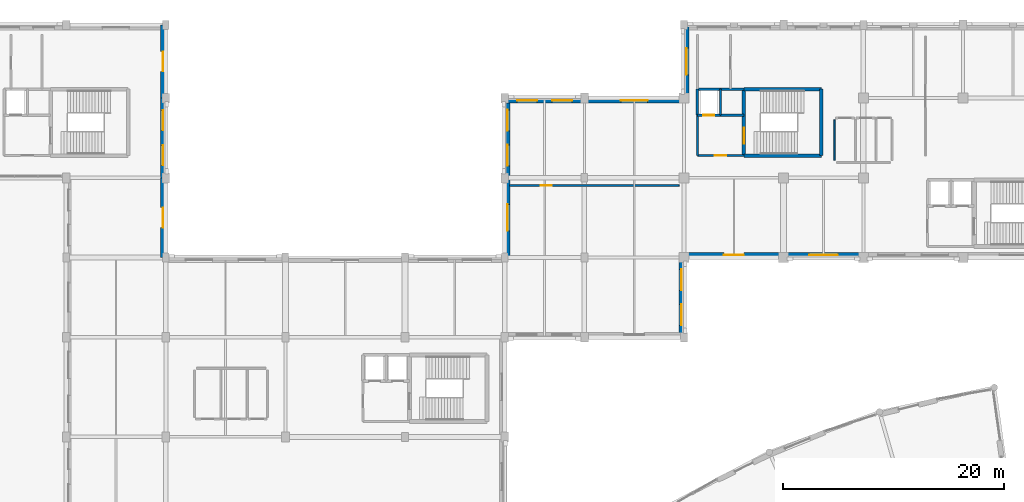
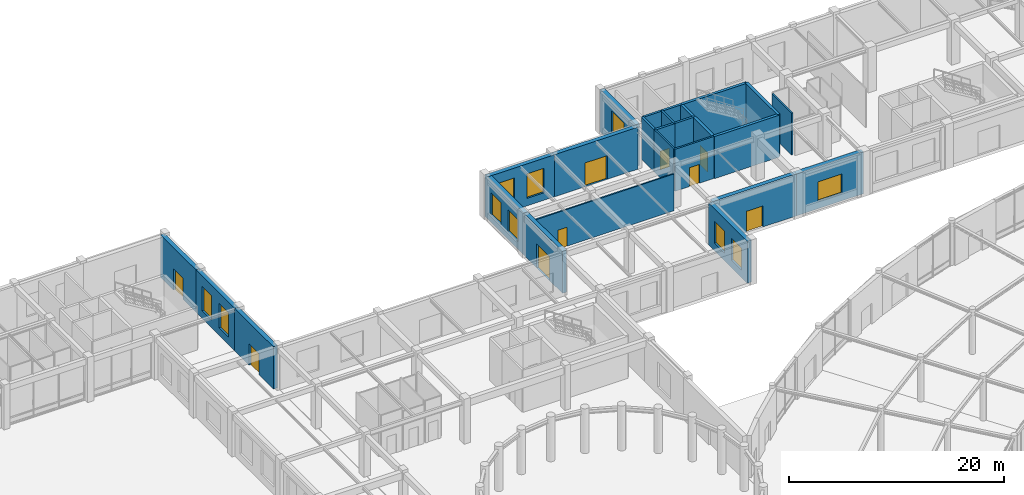
# One storey, part 52 of 64: 24 walls, 10 windows, 9 doors, 19 openings.
"""IFC4 building model written with IfcOpenShell, lengths in metres."""

from ifc_helpers import new_model, si_unit, direction, frame, frame_2d, origin, place, context, subcontext, project, spatial, rectangle, extrude, material, layer, layer_set, type_object, element, fill, save


model = new_model("IFC4")

# Units and contexts
model_context = context("Model", 3, precision=1e-05, world=origin(), true_north=direction((0.0, 1.0)))
body_context = subcontext(model_context, "Body", "Model", "MODEL_VIEW")
ifc_project = project(units=[si_unit("LENGTHUNIT", "METRE"), si_unit("AREAUNIT", "SQUARE_METRE"), si_unit("VOLUMEUNIT", "CUBIC_METRE"), si_unit("PLANEANGLEUNIT", "RADIAN"), si_unit("MASSUNIT", "GRAM", prefix="KILO")], contexts=[model_context])

# Site, building, storey
site_placement = place(None, origin())
site = spatial("IfcSite", under=ifc_project, at=site_placement, CompositionType="ELEMENT")
building_placement = place(site_placement, origin())
building = spatial("IfcBuilding", under=site, at=building_placement, Name="Clarverna Civic Hall", CompositionType="ELEMENT")
storey_placement = place(building_placement, origin())
storey = spatial("IfcBuildingStorey", under=building, at=storey_placement, Name="L00", CompositionType="ELEMENT", Elevation=0.0)

# Wall, opening, door
ifc_material_1 = material(Name="Precast concrete C40/50", Category="concrete")
ifc_layer_1 = layer(ifc_material_1, 0.449951171875)
ifc_layer_set_1 = layer_set([ifc_layer_1], Name="Precast concrete C40/50")
wall_type_1 = type_object("IfcWallType", Name="EW-01", PredefinedType="SOLIDWALL", material=ifc_layer_set_1)
wall_1_placement = place(storey_placement, frame((66.35009765625, 116.0, 0.0), z_axis=(0.0, 0.0, 1.0), x_axis=(0.0, -1.0, 0.0)))
wall_1 = element("IfcWall", 1, at=wall_1_placement, inside=storey, type_object=wall_type_1, Name="EW-01-024", PredefinedType="SOLIDWALL", context=body_context, shape_type="SweptSolid", body=[
    extrude(rectangle(XDim=6.60009765625, YDim=0.449951171875, at=frame_2d((3.300048828125, 0.0))), origin(), (0.0, 0.0, 1.0), 4.820068359375),
])
opening_1_placement = place(wall_1_placement, frame((2.39990234375, 0.0, 0.0)))
opening_1 = element("IfcOpeningElement", 2, at=opening_1_placement, cuts=wall_1, Name="Opening ED-02", PredefinedType="OPENING", context=body_context, shape_type="SweptSolid", body=[
    extrude(rectangle(XDim=1.800048828125, YDim=2.39990234375, at=frame_2d((0.89990234375, 1.199951171875))), frame((0.0, 0.23486328125, 0.0), z_axis=(0.0, -1.0, 0.0), x_axis=(1.0, 0.0, 0.0)), (0.0, 0.0, 1.0), 0.469970703125),
])
ifc_material_2 = material(Name="Anodised Bronze Glazed Door")
door_type_1 = type_object("IfcDoorType", Name="ED-02", OperationType="DOUBLE_DOOR_SINGLE_SWING", PredefinedType="DOOR", material=ifc_material_2)
door_1_placement = place(opening_1_placement, origin())
door_1 = element("IfcDoor", 3, at=door_1_placement, inside=storey, type_object=door_type_1, Name="ED-02-007", OperationType="DOUBLE_DOOR_SINGLE_SWING", OverallHeight=2.39990234375, OverallWidth=1.800048828125, PredefinedType="DOOR", context=body_context, shape_type="SweptSolid", body=[
    extrude(rectangle(XDim=1.800048828125, YDim=2.39990234375, at=frame_2d((0.89990234375, 1.199951171875))), frame((0.0, 0.02490234375, 0.0), z_axis=(0.0, -1.0, 0.0), x_axis=(1.0, 0.0, 0.0)), (0.0, 0.0, 1.0), 0.050048828125),
])
fill(opening_1, door_1)

# Wall, openings, windows
wall_2_placement = place(storey_placement, frame((66.35009765625, 109.39990234375, 0.0), z_axis=(0.0, 0.0, 1.0), x_axis=(0.0, -1.0, 0.0)))
wall_2 = element("IfcWall", 4, at=wall_2_placement, inside=storey, type_object=wall_type_1, Name="EW-01-025", PredefinedType="SOLIDWALL", context=body_context, shape_type="SweptSolid", body=[
    extrude(rectangle(XDim=7.199951171875, YDim=0.449951171875, at=frame_2d((3.60009765625, 0.0))), origin(), (0.0, 0.0, 1.0), 4.820068359375),
])
opening_2_placement = place(wall_2_placement, frame((1.115966796875, 0.0, 0.85009765625)))
opening_2 = element("IfcOpeningElement", 5, at=opening_2_placement, cuts=wall_2, Name="Opening WN-01", PredefinedType="OPENING", context=body_context, shape_type="SweptSolid", body=[
    extrude(rectangle(XDim=1.800048828125, YDim=2.800048828125, at=frame_2d((0.89990234375, 1.39990234375))), frame((0.0, 0.23486328125, 0.0), z_axis=(0.0, -1.0, 0.0), x_axis=(1.0, 0.0, 0.0)), (0.0, 0.0, 1.0), 0.469970703125),
])
opening_3_placement = place(wall_2_placement, frame((4.283935546875, 0.0, 0.85009765625)))
opening_3 = element("IfcOpeningElement", 6, at=opening_3_placement, cuts=wall_2, Name="Opening WN-01", PredefinedType="OPENING", context=body_context, shape_type="SweptSolid", body=[
    extrude(rectangle(XDim=1.800048828125, YDim=2.800048828125, at=frame_2d((0.89990234375, 1.39990234375))), frame((0.0, 0.23486328125, 0.0), z_axis=(0.0, -1.0, 0.0), x_axis=(1.0, 0.0, 0.0)), (0.0, 0.0, 1.0), 0.469970703125),
])
ifc_material_3 = material(Name="Solar-Control Argon Low-E Double Glazing", Category="glass")
window_type_1 = type_object("IfcWindowType", Name="WN-01", PartitioningType="DOUBLE_PANEL_VERTICAL", PredefinedType="WINDOW", material=ifc_material_3)
window_1_placement = place(opening_2_placement, origin())
window_1 = element("IfcWindow", 7, at=window_1_placement, inside=storey, type_object=window_type_1, Name="WN-01-007", OverallHeight=2.800048828125, OverallWidth=1.800048828125, PartitioningType="DOUBLE_PANEL_VERTICAL", PredefinedType="WINDOW", context=body_context, shape_type="SweptSolid", body=[
    extrude(rectangle(XDim=1.800048828125, YDim=2.800048828125, at=frame_2d((0.89990234375, 1.39990234375))), frame((0.0, 0.030029296875, 0.0), z_axis=(0.0, -1.0, 0.0), x_axis=(1.0, 0.0, 0.0)), (0.0, 0.0, 1.0), 0.06005859375),
])
fill(opening_2, window_1)
window_2_placement = place(opening_3_placement, origin())
window_2 = element("IfcWindow", 8, at=window_2_placement, inside=storey, type_object=window_type_1, Name="WN-01-008", OverallHeight=2.800048828125, OverallWidth=1.800048828125, PartitioningType="DOUBLE_PANEL_VERTICAL", PredefinedType="WINDOW", context=body_context, shape_type="SweptSolid", body=[
    extrude(rectangle(XDim=1.800048828125, YDim=2.800048828125, at=frame_2d((0.89990234375, 1.39990234375))), frame((0.0, 0.030029296875, 0.0), z_axis=(0.0, -1.0, 0.0), x_axis=(1.0, 0.0, 0.0)), (0.0, 0.0, 1.0), 0.06005859375),
])
fill(opening_3, window_2)

# Wall, opening, door
wall_3_placement = place(storey_placement, frame((66.35009765625, 102.199951171875, 0.0), z_axis=(0.0, 0.0, 1.0), x_axis=(0.0, -1.0, 0.0)))
wall_3 = element("IfcWall", 9, at=wall_3_placement, inside=storey, type_object=wall_type_1, Name="EW-01-026", PredefinedType="SOLIDWALL", context=body_context, shape_type="SweptSolid", body=[
    extrude(rectangle(XDim=7.199951171875, YDim=0.449951171875, at=frame_2d((3.60009765625, 0.0))), origin(), (0.0, 0.0, 1.0), 4.820068359375),
])
opening_4_placement = place(wall_3_placement, frame((2.699951171875, 0.0, 0.0)))
opening_4 = element("IfcOpeningElement", 10, at=opening_4_placement, cuts=wall_3, Name="Opening ED-02", PredefinedType="OPENING", context=body_context, shape_type="SweptSolid", body=[
    extrude(rectangle(XDim=1.800048828125, YDim=2.39990234375, at=frame_2d((0.89990234375, 1.199951171875))), frame((0.0, 0.23486328125, 0.0), z_axis=(0.0, -1.0, 0.0), x_axis=(1.0, 0.0, 0.0)), (0.0, 0.0, 1.0), 0.469970703125),
])
door_2_placement = place(opening_4_placement, origin())
door_2 = element("IfcDoor", 11, at=door_2_placement, inside=storey, type_object=door_type_1, Name="ED-02-008", OperationType="DOUBLE_DOOR_SINGLE_SWING", OverallHeight=2.39990234375, OverallWidth=1.800048828125, PredefinedType="DOOR", context=body_context, shape_type="SweptSolid", body=[
    extrude(rectangle(XDim=1.800048828125, YDim=2.39990234375, at=frame_2d((0.89990234375, 1.199951171875))), frame((0.0, 0.02490234375, 0.0), z_axis=(0.0, -1.0, 0.0), x_axis=(1.0, 0.0, 0.0)), (0.0, 0.0, 1.0), 0.050048828125),
])
fill(opening_4, door_2)

wall_4_placement = place(storey_placement, frame((97.449951171875, 95.0, 0.0), z_axis=(0.0, 0.0, 1.0), x_axis=(0.0, 1.0, 0.0)))
wall_4 = element("IfcWall", 12, at=wall_4_placement, inside=storey, type_object=wall_type_1, Name="EW-01-030", PredefinedType="SOLIDWALL", context=body_context, shape_type="SweptSolid", body=[
    extrude(rectangle(XDim=7.199951171875, YDim=0.449951171875, at=frame_2d((3.60009765625, 0.0))), origin(), (0.0, 0.0, 1.0), 4.780029296875),
])
opening_5_placement = place(wall_4_placement, frame((2.39990234375, 0.0, 0.0)))
opening_5 = element("IfcOpeningElement", 13, at=opening_5_placement, cuts=wall_4, Name="Opening ED-01", PredefinedType="OPENING", context=body_context, shape_type="SweptSolid", body=[
    extrude(rectangle(XDim=2.39990234375, YDim=2.699951171875, at=frame_2d((1.199951171875, 1.35009765625))), frame((0.0, 0.23486328125, 0.0), z_axis=(0.0, -1.0, 0.0), x_axis=(1.0, 0.0, 0.0)), (0.0, 0.0, 1.0), 0.469970703125),
])
door_type_2 = type_object("IfcDoorType", Name="ED-01", OperationType="DOUBLE_DOOR_SINGLE_SWING", PredefinedType="DOOR", material=ifc_material_2)
door_3_placement = place(opening_5_placement, origin())
door_3 = element("IfcDoor", 14, at=door_3_placement, inside=storey, type_object=door_type_2, Name="ED-01-007", OperationType="DOUBLE_DOOR_SINGLE_SWING", OverallHeight=2.699951171875, OverallWidth=2.39990234375, PredefinedType="DOOR", context=body_context, shape_type="SweptSolid", body=[
    extrude(rectangle(XDim=2.39990234375, YDim=2.699951171875, at=frame_2d((1.199951171875, 1.35009765625))), frame((0.0, 0.02490234375, 0.0), z_axis=(0.0, -1.0, 0.0), x_axis=(1.0, 0.0, 0.0)), (0.0, 0.0, 1.0), 0.050048828125),
])
fill(opening_5, door_3)

# Wall, openings, windows
wall_5_placement = place(storey_placement, frame((97.449951171875, 102.199951171875, 0.0), z_axis=(0.0, 0.0, 1.0), x_axis=(0.0, 1.0, 0.0)))
wall_5 = element("IfcWall", 15, at=wall_5_placement, inside=storey, type_object=wall_type_1, Name="EW-01-031", PredefinedType="SOLIDWALL", context=body_context, shape_type="SweptSolid", body=[
    extrude(rectangle(XDim=7.199951171875, YDim=0.449951171875, at=frame_2d((3.60009765625, 0.0))), origin(), (0.0, 0.0, 1.0), 4.780029296875),
])
opening_6_placement = place(wall_5_placement, frame((1.06591796875, 0.0, 0.85009765625)))
opening_6 = element("IfcOpeningElement", 16, at=opening_6_placement, cuts=wall_5, Name="Opening WN-30", PredefinedType="OPENING", context=body_context, shape_type="SweptSolid", body=[
    extrude(rectangle(XDim=1.89990234375, YDim=2.5, at=frame_2d((0.949951171875, 1.25))), frame((0.0, 0.23486328125, 0.0), z_axis=(0.0, -1.0, 0.0), x_axis=(1.0, 0.0, 0.0)), (0.0, 0.0, 1.0), 0.469970703125),
])
opening_7_placement = place(wall_5_placement, frame((4.23388671875, 0.0, 0.85009765625)))
opening_7 = element("IfcOpeningElement", 17, at=opening_7_placement, cuts=wall_5, Name="Opening WN-30", PredefinedType="OPENING", context=body_context, shape_type="SweptSolid", body=[
    extrude(rectangle(XDim=1.89990234375, YDim=2.5, at=frame_2d((0.949951171875, 1.25))), frame((0.0, 0.23486328125, 0.0), z_axis=(0.0, -1.0, 0.0), x_axis=(1.0, 0.0, 0.0)), (0.0, 0.0, 1.0), 0.469970703125),
])
window_type_2 = type_object("IfcWindowType", Name="WN-30", PartitioningType="DOUBLE_PANEL_VERTICAL", PredefinedType="WINDOW", material=ifc_material_3)
window_3_placement = place(opening_6_placement, origin())
window_3 = element("IfcWindow", 18, at=window_3_placement, inside=storey, type_object=window_type_2, Name="WN-30-006", OverallHeight=2.5, OverallWidth=1.89990234375, PartitioningType="DOUBLE_PANEL_VERTICAL", PredefinedType="WINDOW", context=body_context, shape_type="SweptSolid", body=[
    extrude(rectangle(XDim=1.89990234375, YDim=2.5, at=frame_2d((0.949951171875, 1.25))), frame((0.0, 0.030029296875, 0.0), z_axis=(0.0, -1.0, 0.0), x_axis=(1.0, 0.0, 0.0)), (0.0, 0.0, 1.0), 0.06005859375),
])
fill(opening_6, window_3)
window_4_placement = place(opening_7_placement, origin())
window_4 = element("IfcWindow", 19, at=window_4_placement, inside=storey, type_object=window_type_2, Name="WN-30-007", OverallHeight=2.5, OverallWidth=1.89990234375, PartitioningType="DOUBLE_PANEL_VERTICAL", PredefinedType="WINDOW", context=body_context, shape_type="SweptSolid", body=[
    extrude(rectangle(XDim=1.89990234375, YDim=2.5, at=frame_2d((0.949951171875, 1.25))), frame((0.0, 0.030029296875, 0.0), z_axis=(0.0, -1.0, 0.0), x_axis=(1.0, 0.0, 0.0)), (0.0, 0.0, 1.0), 0.06005859375),
])
fill(opening_7, window_4)

wall_6_placement = place(storey_placement, frame((97.22509765625, 109.175048828125, 0.0), z_axis=(0.0, 0.0, 1.0), x_axis=(1.0, 0.0, 0.0)))
wall_6 = element("IfcWall", 20, at=wall_6_placement, inside=storey, type_object=wall_type_1, Name="EW-01-032", PredefinedType="SOLIDWALL", context=body_context, shape_type="SweptSolid", body=[
    extrude(rectangle(XDim=7.1748046875, YDim=0.449951171875, at=frame_2d((3.58740234375, 0.0))), origin(), (0.0, 0.0, 1.0), 4.780029296875),
])
opening_8_placement = place(wall_6_placement, frame((1.10888671875, 0.0, 0.85009765625)))
opening_8 = element("IfcOpeningElement", 21, at=opening_8_placement, cuts=wall_6, Name="Opening WN-01", PredefinedType="OPENING", context=body_context, shape_type="SweptSolid", body=[
    extrude(rectangle(XDim=1.800048828125, YDim=2.800048828125, at=frame_2d((0.89990234375, 1.39990234375))), frame((0.0, 0.23486328125, 0.0), z_axis=(0.0, -1.0, 0.0), x_axis=(1.0, 0.0, 0.0)), (0.0, 0.0, 1.0), 0.469970703125),
])
opening_9_placement = place(wall_6_placement, frame((4.26611328125, 0.0, 0.85009765625)))
opening_9 = element("IfcOpeningElement", 22, at=opening_9_placement, cuts=wall_6, Name="Opening WN-01", PredefinedType="OPENING", context=body_context, shape_type="SweptSolid", body=[
    extrude(rectangle(XDim=1.800048828125, YDim=2.800048828125, at=frame_2d((0.89990234375, 1.39990234375))), frame((0.0, 0.23486328125, 0.0), z_axis=(0.0, -1.0, 0.0), x_axis=(1.0, 0.0, 0.0)), (0.0, 0.0, 1.0), 0.469970703125),
])
window_5_placement = place(opening_8_placement, origin())
window_5 = element("IfcWindow", 23, at=window_5_placement, inside=storey, type_object=window_type_1, Name="WN-01-009", OverallHeight=2.800048828125, OverallWidth=1.800048828125, PartitioningType="DOUBLE_PANEL_VERTICAL", PredefinedType="WINDOW", context=body_context, shape_type="SweptSolid", body=[
    extrude(rectangle(XDim=1.800048828125, YDim=2.800048828125, at=frame_2d((0.89990234375, 1.39990234375))), frame((0.0, 0.030029296875, 0.0), z_axis=(0.0, -1.0, 0.0), x_axis=(1.0, 0.0, 0.0)), (0.0, 0.0, 1.0), 0.06005859375),
])
fill(opening_8, window_5)
window_6_placement = place(opening_9_placement, origin())
window_6 = element("IfcWindow", 24, at=window_6_placement, inside=storey, type_object=window_type_1, Name="WN-01-010", OverallHeight=2.800048828125, OverallWidth=1.800048828125, PartitioningType="DOUBLE_PANEL_VERTICAL", PredefinedType="WINDOW", context=body_context, shape_type="SweptSolid", body=[
    extrude(rectangle(XDim=1.800048828125, YDim=2.800048828125, at=frame_2d((0.89990234375, 1.39990234375))), frame((0.0, 0.030029296875, 0.0), z_axis=(0.0, -1.0, 0.0), x_axis=(1.0, 0.0, 0.0)), (0.0, 0.0, 1.0), 0.06005859375),
])
fill(opening_9, window_6)

# Wall, opening, door
wall_7_placement = place(storey_placement, frame((104.39990234375, 109.175048828125, 0.0), z_axis=(0.0, 0.0, 1.0), x_axis=(1.0, 0.0, 0.0)))
wall_7 = element("IfcWall", 25, at=wall_7_placement, inside=storey, type_object=wall_type_1, Name="EW-01-033", PredefinedType="SOLIDWALL", context=body_context, shape_type="SweptSolid", body=[
    extrude(rectangle(XDim=9.0, YDim=0.449951171875, at=frame_2d((4.5, 0.0))), origin(), (0.0, 0.0, 1.0), 4.780029296875),
])
opening_10_placement = place(wall_7_placement, frame((3.300048828125, 0.0, 0.0)))
opening_10 = element("IfcOpeningElement", 26, at=opening_10_placement, cuts=wall_7, Name="Opening ED-01", PredefinedType="OPENING", context=body_context, shape_type="SweptSolid", body=[
    extrude(rectangle(XDim=2.39990234375, YDim=2.699951171875, at=frame_2d((1.199951171875, 1.35009765625))), frame((0.0, 0.23486328125, 0.0), z_axis=(0.0, -1.0, 0.0), x_axis=(1.0, 0.0, 0.0)), (0.0, 0.0, 1.0), 0.469970703125),
])
door_4_placement = place(opening_10_placement, origin())
door_4 = element("IfcDoor", 27, at=door_4_placement, inside=storey, type_object=door_type_2, Name="ED-01-008", OperationType="DOUBLE_DOOR_SINGLE_SWING", OverallHeight=2.699951171875, OverallWidth=2.39990234375, PredefinedType="DOOR", context=body_context, shape_type="SweptSolid", body=[
    extrude(rectangle(XDim=2.39990234375, YDim=2.699951171875, at=frame_2d((1.199951171875, 1.35009765625))), frame((0.0, 0.02490234375, 0.0), z_axis=(0.0, -1.0, 0.0), x_axis=(1.0, 0.0, 0.0)), (0.0, 0.0, 1.0), 0.050048828125),
])
fill(opening_10, door_4)

# Wall, opening, window
wall_8_placement = place(storey_placement, frame((113.625, 109.39990234375, 0.0), z_axis=(0.0, 0.0, 1.0), x_axis=(0.0, 1.0, 0.0)))
wall_8 = element("IfcWall", 28, at=wall_8_placement, inside=storey, type_object=wall_type_1, Name="EW-01-034", PredefinedType="SOLIDWALL", context=body_context, shape_type="SweptSolid", body=[
    extrude(rectangle(XDim=6.60009765625, YDim=0.449951171875, at=frame_2d((3.300048828125, 0.0))), origin(), (0.0, 0.0, 1.0), 4.780029296875),
])
opening_11_placement = place(wall_8_placement, frame((2.10009765625, 0.0, 0.85009765625)))
opening_11 = element("IfcOpeningElement", 29, at=opening_11_placement, cuts=wall_8, Name="Opening WN-02", PredefinedType="OPENING", context=body_context, shape_type="SweptSolid", body=[
    extrude(rectangle(XDim=2.39990234375, YDim=2.800048828125, at=frame_2d((1.199951171875, 1.39990234375))), frame((0.0, 0.23486328125, 0.0), z_axis=(0.0, -1.0, 0.0), x_axis=(1.0, 0.0, 0.0)), (0.0, 0.0, 1.0), 0.469970703125),
])
window_type_3 = type_object("IfcWindowType", Name="WN-02", PartitioningType="TRIPLE_PANEL_VERTICAL", PredefinedType="WINDOW", material=ifc_material_3)
window_7_placement = place(opening_11_placement, origin())
window_7 = element("IfcWindow", 30, at=window_7_placement, inside=storey, type_object=window_type_3, Name="WN-02-007", OverallHeight=2.800048828125, OverallWidth=2.39990234375, PartitioningType="TRIPLE_PANEL_VERTICAL", PredefinedType="WINDOW", context=body_context, shape_type="SweptSolid", body=[
    extrude(rectangle(XDim=2.39990234375, YDim=2.800048828125, at=frame_2d((1.199951171875, 1.39990234375))), frame((0.0, 0.030029296875, 0.0), z_axis=(0.0, -1.0, 0.0), x_axis=(1.0, 0.0, 0.0)), (0.0, 0.0, 1.0), 0.06005859375),
])
fill(opening_11, window_7)

wall_9_placement = place(storey_placement, frame((129.60009765625, 95.22509765625, 0.0), z_axis=(0.0, 0.0, 1.0), x_axis=(-1.0, 0.0, 0.0)))
wall_9 = element("IfcWall", 31, at=wall_9_placement, inside=storey, type_object=wall_type_1, Name="EW-01-055", PredefinedType="SOLIDWALL", context=body_context, shape_type="SweptSolid", body=[
    extrude(rectangle(XDim=7.2001953125, YDim=0.449951171875, at=frame_2d((3.60009765625, 0.0))), origin(), (0.0, 0.0, 1.0), 4.780029296875),
])
opening_12_placement = place(wall_9_placement, frame((2.300048828125, 0.0, 0.85009765625)))
opening_12 = element("IfcOpeningElement", 32, at=opening_12_placement, cuts=wall_9, Name="Opening WN-18", PredefinedType="OPENING", context=body_context, shape_type="SweptSolid", body=[
    extrude(rectangle(XDim=2.60009765625, YDim=2.199951171875, at=frame_2d((1.300048828125, 1.10009765625))), frame((0.0, 0.23486328125, 0.0), z_axis=(0.0, -1.0, 0.0), x_axis=(1.0, 0.0, 0.0)), (0.0, 0.0, 1.0), 0.469970703125),
])
window_type_4 = type_object("IfcWindowType", Name="WN-18", PartitioningType="TRIPLE_PANEL_VERTICAL", PredefinedType="WINDOW", material=ifc_material_3)
window_8_placement = place(opening_12_placement, origin())
window_8 = element("IfcWindow", 33, at=window_8_placement, inside=storey, type_object=window_type_4, Name="WN-18-007", OverallHeight=2.199951171875, OverallWidth=2.60009765625, PartitioningType="TRIPLE_PANEL_VERTICAL", PredefinedType="WINDOW", context=body_context, shape_type="SweptSolid", body=[
    extrude(rectangle(XDim=2.60009765625, YDim=2.199951171875, at=frame_2d((1.300048828125, 1.10009765625))), frame((0.0, 0.030029296875, 0.0), z_axis=(0.0, -1.0, 0.0), x_axis=(1.0, 0.0, 0.0)), (0.0, 0.0, 1.0), 0.06005859375),
])
fill(opening_12, window_8)

# Wall, opening, door
wall_10_placement = place(storey_placement, frame((122.39990234375, 95.22509765625, 0.0), z_axis=(0.0, 0.0, 1.0), x_axis=(-1.0, 0.0, 0.0)))
wall_10 = element("IfcWall", 34, at=wall_10_placement, inside=storey, type_object=wall_type_1, Name="EW-01-056", PredefinedType="SOLIDWALL", context=body_context, shape_type="SweptSolid", body=[
    extrude(rectangle(XDim=9.0, YDim=0.449951171875, at=frame_2d((4.5, 0.0))), origin(), (0.0, 0.0, 1.0), 4.780029296875),
])
opening_13_placement = place(wall_10_placement, frame((3.60009765625, 0.0, 0.0)))
opening_13 = element("IfcOpeningElement", 35, at=opening_13_placement, cuts=wall_10, Name="Opening ED-02", PredefinedType="OPENING", context=body_context, shape_type="SweptSolid", body=[
    extrude(rectangle(XDim=1.800048828125, YDim=2.39990234375, at=frame_2d((0.89990234375, 1.199951171875))), frame((0.0, 0.23486328125, 0.0), z_axis=(0.0, -1.0, 0.0), x_axis=(1.0, 0.0, 0.0)), (0.0, 0.0, 1.0), 0.469970703125),
])
door_5_placement = place(opening_13_placement, origin())
door_5 = element("IfcDoor", 36, at=door_5_placement, inside=storey, type_object=door_type_1, Name="ED-02-011", OperationType="DOUBLE_DOOR_SINGLE_SWING", OverallHeight=2.39990234375, OverallWidth=1.800048828125, PredefinedType="DOOR", context=body_context, shape_type="SweptSolid", body=[
    extrude(rectangle(XDim=1.800048828125, YDim=2.39990234375, at=frame_2d((0.89990234375, 1.199951171875))), frame((0.0, 0.02490234375, 0.0), z_axis=(0.0, -1.0, 0.0), x_axis=(1.0, 0.0, 0.0)), (0.0, 0.0, 1.0), 0.050048828125),
])
fill(opening_13, door_5)

# Wall, openings, windows
wall_11_placement = place(storey_placement, frame((113.175048828125, 95.0, 0.0), z_axis=(0.0, 0.0, 1.0), x_axis=(0.0, -1.0, 0.0)))
wall_11 = element("IfcWall", 37, at=wall_11_placement, inside=storey, type_object=wall_type_1, Name="EW-01-057", PredefinedType="SOLIDWALL", context=body_context, shape_type="SweptSolid", body=[
    extrude(rectangle(XDim=7.199951171875, YDim=0.449951171875, at=frame_2d((3.60009765625, 0.0))), origin(), (0.0, 0.0, 1.0), 4.780029296875),
])
opening_14_placement = place(wall_11_placement, frame((1.06591796875, 0.0, 0.85009765625)))
opening_14 = element("IfcOpeningElement", 38, at=opening_14_placement, cuts=wall_11, Name="Opening WN-30", PredefinedType="OPENING", context=body_context, shape_type="SweptSolid", body=[
    extrude(rectangle(XDim=1.89990234375, YDim=2.5, at=frame_2d((0.949951171875, 1.25))), frame((0.0, 0.23486328125, 0.0), z_axis=(0.0, -1.0, 0.0), x_axis=(1.0, 0.0, 0.0)), (0.0, 0.0, 1.0), 0.469970703125),
])
opening_15_placement = place(wall_11_placement, frame((4.23388671875, 0.0, 0.85009765625)))
opening_15 = element("IfcOpeningElement", 39, at=opening_15_placement, cuts=wall_11, Name="Opening WN-30", PredefinedType="OPENING", context=body_context, shape_type="SweptSolid", body=[
    extrude(rectangle(XDim=1.89990234375, YDim=2.5, at=frame_2d((0.949951171875, 1.25))), frame((0.0, 0.23486328125, 0.0), z_axis=(0.0, -1.0, 0.0), x_axis=(1.0, 0.0, 0.0)), (0.0, 0.0, 1.0), 0.469970703125),
])
window_9_placement = place(opening_14_placement, origin())
window_9 = element("IfcWindow", 40, at=window_9_placement, inside=storey, type_object=window_type_2, Name="WN-30-014", OverallHeight=2.5, OverallWidth=1.89990234375, PartitioningType="DOUBLE_PANEL_VERTICAL", PredefinedType="WINDOW", context=body_context, shape_type="SweptSolid", body=[
    extrude(rectangle(XDim=1.89990234375, YDim=2.5, at=frame_2d((0.949951171875, 1.25))), frame((0.0, 0.030029296875, 0.0), z_axis=(0.0, -1.0, 0.0), x_axis=(1.0, 0.0, 0.0)), (0.0, 0.0, 1.0), 0.06005859375),
])
fill(opening_14, window_9)
window_10_placement = place(opening_15_placement, origin())
window_10 = element("IfcWindow", 41, at=window_10_placement, inside=storey, type_object=window_type_2, Name="WN-30-015", OverallHeight=2.5, OverallWidth=1.89990234375, PartitioningType="DOUBLE_PANEL_VERTICAL", PredefinedType="WINDOW", context=body_context, shape_type="SweptSolid", body=[
    extrude(rectangle(XDim=1.89990234375, YDim=2.5, at=frame_2d((0.949951171875, 1.25))), frame((0.0, 0.030029296875, 0.0), z_axis=(0.0, -1.0, 0.0), x_axis=(1.0, 0.0, 0.0)), (0.0, 0.0, 1.0), 0.06005859375),
])
fill(opening_15, window_10)

# Wall, opening, door
ifc_material_4 = material(Name="Acoustic Gypsum Plasterboard Partition", Category="gypsum")
ifc_layer_2 = layer(ifc_material_4, 0.159912109375)
ifc_layer_set_2 = layer_set([ifc_layer_2], Name="Acoustic Gypsum Plasterboard Partition")
wall_type_2 = type_object("IfcWallType", Name="PW-01", PredefinedType="PARTITIONING", material=ifc_layer_set_2)
wall_12_placement = place(storey_placement, frame((97.64990234375, 101.5, 0.0), z_axis=(0.0, 0.0, 1.0), x_axis=(1.0, 0.0, 0.0)))
wall_12 = element("IfcWall", 42, at=wall_12_placement, inside=storey, type_object=wall_type_2, Name="PW-01-010", PredefinedType="PARTITIONING", context=body_context, shape_type="SweptSolid", body=[
    extrude(rectangle(XDim=15.300048828125, YDim=0.14990234375, at=frame_2d((7.64990234375, 0.0))), origin(), (0.0, 0.0, 1.0), 4.179931640625),
])
opening_16_placement = place(wall_12_placement, frame((2.800048828125, 0.0, 0.0)))
opening_16 = element("IfcOpeningElement", 43, at=opening_16_placement, cuts=wall_12, Name="Opening ID-02", PredefinedType="OPENING", context=body_context, shape_type="SweptSolid", body=[
    extrude(rectangle(XDim=1.0, YDim=2.14990234375, at=frame_2d((0.5, 1.074951171875))), frame((0.0, 0.0849609375, 0.0), z_axis=(0.0, -1.0, 0.0), x_axis=(1.0, 0.0, 0.0)), (0.0, 0.0, 1.0), 0.169921875),
])
ifc_material_5 = material(Name="European Oak Veneered Acoustic Timber Door", Category="wood")
door_type_3 = type_object("IfcDoorType", Name="ID-02", OperationType="NOTDEFINED", PredefinedType="DOOR", material=ifc_material_5)
door_6_placement = place(opening_16_placement, origin())
door_6 = element("IfcDoor", 44, at=door_6_placement, inside=storey, type_object=door_type_3, Name="ID-02-078", OperationType="SINGLE_SWING_LEFT", OverallHeight=2.14990234375, OverallWidth=1.0, PredefinedType="DOOR", context=body_context, shape_type="SweptSolid", body=[
    extrude(rectangle(XDim=1.0, YDim=2.14990234375, at=frame_2d((0.5, 1.074951171875))), frame((0.0, 0.02490234375, 0.0), z_axis=(0.0, -1.0, 0.0), x_axis=(1.0, 0.0, 0.0)), (0.0, 0.0, 1.0), 0.050048828125),
])
fill(opening_16, door_6)

# Walls
ifc_material_6 = material(Name="Ceramic Brick and Plaster Wet-Room Partition", Category="masonry")
ifc_layer_3 = layer(ifc_material_6, 0.139892578125)
ifc_layer_set_3 = layer_set([ifc_layer_3], Name="Ceramic Brick and Plaster Wet-Room Partition")
wall_type_3 = type_object("IfcWallType", Name="PW-02", PredefinedType="PARTITIONING", material=ifc_layer_set_3)
wall_13_placement = place(storey_placement, frame((127.0, 103.780029296875, 0.0), z_axis=(0.0, 0.0, 1.0), x_axis=(0.0, 1.0, 0.0)))
element("IfcWall", 45, at=wall_13_placement, inside=storey, type_object=wall_type_3, Name="PW-02-010", PredefinedType="PARTITIONING", context=body_context, shape_type="SweptSolid", body=[
    extrude(rectangle(XDim=3.639892578125, YDim=0.139892578125, at=frame_2d((1.81982421875, 0.0))), origin(), (0.0, 0.0, 1.0), 4.780029296875),
])
ifc_material_7 = material(Name="Acoustic Gypsum Plasterboard on Twin Frame", Category="gypsum")
ifc_layer_4 = layer(ifc_material_7, 0.18994140625)
ifc_layer_set_4 = layer_set([ifc_layer_4], Name="Acoustic Gypsum Plasterboard on Twin Frame")
wall_type_4 = type_object("IfcWallType", Name="PW-06", PredefinedType="PARTITIONING", material=ifc_layer_set_4)
wall_14_placement = place(storey_placement, frame((114.60009765625, 104.199951171875, 0.0), z_axis=(0.0, 0.0, 1.0), x_axis=(0.0, 1.0, 0.0)))
element("IfcWall", 46, at=wall_14_placement, inside=storey, type_object=wall_type_4, Name="PW-06-091", PredefinedType="PARTITIONING", context=body_context, shape_type="SweptSolid", body=[
    extrude(rectangle(XDim=3.650146484375, YDim=0.18994140625, at=frame_2d((1.8251953125, 0.0))), origin(), (0.0, 0.0, 1.0), 4.780029296875),
])

# Wall, opening, door
wall_15_placement = place(storey_placement, frame((114.60009765625, 104.199951171875, 0.0), z_axis=(0.0, 0.0, 1.0), x_axis=(1.0, 0.0, 0.0)))
wall_15 = element("IfcWall", 47, at=wall_15_placement, inside=storey, type_object=wall_type_4, Name="PW-06-092", PredefinedType="PARTITIONING", context=body_context, shape_type="SweptSolid", body=[
    extrude(rectangle(XDim=4.199951171875, YDim=0.18994140625, at=frame_2d((2.10009765625, 0.0))), origin(), (0.0, 0.0, 1.0), 4.780029296875),
])
opening_17_placement = place(wall_15_placement, frame((1.574951171875, 0.0, 0.0)))
opening_17 = element("IfcOpeningElement", 48, at=opening_17_placement, cuts=wall_15, Name="Opening FD-02", PredefinedType="OPENING", context=body_context, shape_type="SweptSolid", body=[
    extrude(rectangle(XDim=1.050048828125, YDim=2.14990234375, at=frame_2d((0.52490234375, 1.074951171875))), frame((0.0, 0.10498046875, 0.0), z_axis=(0.0, -1.0, 0.0), x_axis=(1.0, 0.0, 0.0)), (0.0, 0.0, 1.0), 0.2099609375),
])
ifc_material_8 = material(Name="Acoustic Timber-Faced Fire Door", Category="wood")
door_type_4 = type_object("IfcDoorType", Name="FD-02", OperationType="NOTDEFINED", PredefinedType="DOOR", material=ifc_material_8)
door_7_placement = place(opening_17_placement, origin())
door_7 = element("IfcDoor", 49, at=door_7_placement, inside=storey, type_object=door_type_4, Name="FD-02-084", OperationType="SINGLE_SWING_RIGHT", OverallHeight=2.14990234375, OverallWidth=1.050048828125, PredefinedType="DOOR", context=body_context, shape_type="SweptSolid", body=[
    extrude(rectangle(XDim=1.050048828125, YDim=2.14990234375, at=frame_2d((0.52490234375, 1.074951171875))), frame((0.0, 0.02490234375, 0.0), z_axis=(0.0, -1.0, 0.0), x_axis=(1.0, 0.0, 0.0)), (0.0, 0.0, 1.0), 0.050048828125),
])
fill(opening_17, door_7)

ifc_material_9 = material(Name="Concrete C35/45", Category="concrete")
ifc_layer_5 = layer(ifc_material_9, 0.300048828125)
ifc_layer_set_5 = layer_set([ifc_layer_5], Name="Concrete C35/45")
wall_type_5 = type_object("IfcWallType", Name="SW-03", PredefinedType="SHEAR", material=ifc_layer_set_5)
wall_16_placement = place(storey_placement, frame((118.800048828125, 104.199951171875, 0.0), z_axis=(0.0, 0.0, 1.0), x_axis=(0.0, 1.0, 0.0)))
wall_16 = element("IfcWall", 50, at=wall_16_placement, inside=storey, type_object=wall_type_5, Name="SW-03-154", PredefinedType="SHEAR", context=body_context, shape_type="SweptSolid", body=[
    extrude(rectangle(XDim=6.0, YDim=0.300048828125, at=frame_2d((3.0, 0.0))), origin(), (0.0, 0.0, 1.0), 4.780029296875),
])
opening_18_placement = place(wall_16_placement, frame((1.074951171875, 0.0, 0.0)))
opening_18 = element("IfcOpeningElement", 51, at=opening_18_placement, cuts=wall_16, Name="Opening FD-01", PredefinedType="OPENING", context=body_context, shape_type="SweptSolid", body=[
    extrude(rectangle(XDim=1.449951171875, YDim=2.199951171875, at=frame_2d((0.72509765625, 1.10009765625))), frame((0.0, 0.159912109375, 0.0), z_axis=(0.0, -1.0, 0.0), x_axis=(1.0, 0.0, 0.0)), (0.0, 0.0, 1.0), 0.320068359375),
])
door_type_5 = type_object("IfcDoorType", Name="FD-01", OperationType="DOUBLE_DOOR_SINGLE_SWING", PredefinedType="DOOR", material=ifc_material_8)
door_8_placement = place(opening_18_placement, origin())
door_8 = element("IfcDoor", 52, at=door_8_placement, inside=storey, type_object=door_type_5, Name="FD-01-008", OperationType="DOUBLE_DOOR_SINGLE_SWING", OverallHeight=2.199951171875, OverallWidth=1.449951171875, PredefinedType="DOOR", context=body_context, shape_type="SweptSolid", body=[
    extrude(rectangle(XDim=1.449951171875, YDim=2.199951171875, at=frame_2d((0.72509765625, 1.10009765625))), frame((0.0, 0.02490234375, 0.0), z_axis=(0.0, -1.0, 0.0), x_axis=(1.0, 0.0, 0.0)), (0.0, 0.0, 1.0), 0.050048828125),
])
fill(opening_18, door_8)

# Walls
wall_17_placement = place(storey_placement, frame((125.800048828125, 104.199951171875, 0.0), z_axis=(0.0, 0.0, 1.0), x_axis=(0.0, 1.0, 0.0)))
element("IfcWall", 53, at=wall_17_placement, inside=storey, type_object=wall_type_5, Name="SW-03-155", PredefinedType="SHEAR", context=body_context, shape_type="SweptSolid", body=[
    extrude(rectangle(XDim=6.0, YDim=0.300048828125, at=frame_2d((3.0, 0.0))), origin(), (0.0, 0.0, 1.0), 4.780029296875),
])
for number, where, z_axis, x_axis, name in (
    (54, (118.800048828125, 104.199951171875, 0.0), (0.0, 0.0, 1.0), (1.0, 0.0, 0.0), "SW-03-156"),
    (55, (118.800048828125, 110.199951171875, 0.0), (0.0, 0.0, 1.0), (1.0, 0.0, 0.0), "SW-03-157"),
):
    element("IfcWall", number, at=place(storey_placement, frame(where, z_axis=z_axis, x_axis=x_axis)), inside=storey, type_object=wall_type_5, Name=name, PredefinedType="SHEAR", context=body_context, shape_type="SweptSolid", body=[
        extrude(rectangle(XDim=7.0, YDim=0.300048828125, at=frame_2d((3.5, 0.0))), origin(), (0.0, 0.0, 1.0), 4.780029296875),
    ])
wall_18_placement = place(storey_placement, frame((114.60009765625, 110.199951171875, 0.0), z_axis=(0.0, 0.0, 1.0), x_axis=(1.0, 0.0, 0.0)))
element("IfcWall", 56, at=wall_18_placement, inside=storey, type_object=wall_type_5, Name="SW-03-158", PredefinedType="SHEAR", context=body_context, shape_type="SweptSolid", body=[
    extrude(rectangle(XDim=4.199951171875, YDim=0.239990234375, at=frame_2d((2.10009765625, 0.0))), origin(), (0.0, 0.0, 1.0), 4.780029296875),
])
wall_19_placement = place(storey_placement, frame((114.60009765625, 107.85009765625, 0.0), z_axis=(0.0, 0.0, 1.0), x_axis=(0.0, 1.0, 0.0)))
element("IfcWall", 57, at=wall_19_placement, inside=storey, type_object=wall_type_5, Name="SW-03-159", PredefinedType="SHEAR", context=body_context, shape_type="SweptSolid", body=[
    extrude(rectangle(XDim=2.349853515625, YDim=0.239990234375, at=frame_2d((1.1748046875, 0.0))), origin(), (0.0, 0.0, 1.0), 4.780029296875),
])
wall_20_placement = place(storey_placement, frame((116.699951171875, 107.85009765625, 0.0), z_axis=(0.0, 0.0, 1.0), x_axis=(0.0, 1.0, 0.0)))
element("IfcWall", 58, at=wall_20_placement, inside=storey, type_object=wall_type_5, Name="SW-03-160", PredefinedType="SHEAR", context=body_context, shape_type="SweptSolid", body=[
    extrude(rectangle(XDim=2.349853515625, YDim=0.199951171875, at=frame_2d((1.1748046875, 0.0))), origin(), (0.0, 0.0, 1.0), 4.780029296875),
])

# Wall, opening, door
wall_21_placement = place(storey_placement, frame((114.60009765625, 107.85009765625, 0.0), z_axis=(0.0, 0.0, 1.0), x_axis=(1.0, 0.0, 0.0)))
wall_21 = element("IfcWall", 59, at=wall_21_placement, inside=storey, type_object=wall_type_5, Name="SW-03-161", PredefinedType="SHEAR", context=body_context, shape_type="SweptSolid", body=[
    extrude(rectangle(XDim=2.099853515625, YDim=0.239990234375, at=frame_2d((1.0498046875, 0.0))), origin(), (0.0, 0.0, 1.0), 4.780029296875),
])
opening_19_placement = place(wall_21_placement, frame((0.550048828125, 0.0, 0.0)))
opening_19 = element("IfcOpeningElement", 60, at=opening_19_placement, cuts=wall_21, Name="Opening LD-01", PredefinedType="OPENING", context=body_context, shape_type="SweptSolid", body=[
    extrude(rectangle(XDim=1.0, YDim=2.10009765625, at=frame_2d((0.5, 1.050048828125))), frame((0.0, 0.1298828125, 0.0), z_axis=(0.0, -1.0, 0.0), x_axis=(1.0, 0.0, 0.0)), (0.0, 0.0, 1.0), 0.260009765625),
])
ifc_material_10 = material(Name="Brushed Bronze Stainless Lift Landing Door")
door_type_6 = type_object("IfcDoorType", Name="LD-01", OperationType="SLIDING_TO_LEFT", PredefinedType="DOOR", material=ifc_material_10)
door_9_placement = place(opening_19_placement, origin())
door_9 = element("IfcDoor", 61, at=door_9_placement, inside=storey, type_object=door_type_6, Name="LD-01-065", OperationType="SLIDING_TO_LEFT", OverallHeight=2.10009765625, OverallWidth=1.0, PredefinedType="DOOR", context=body_context, shape_type="SweptSolid", body=[
    extrude(rectangle(XDim=1.0, YDim=2.10009765625, at=frame_2d((0.5, 1.050048828125))), frame((0.0, 0.02490234375, 0.0), z_axis=(0.0, -1.0, 0.0), x_axis=(1.0, 0.0, 0.0)), (0.0, 0.0, 1.0), 0.050048828125),
])
fill(opening_19, door_9)

# Wall
wall_22_placement = place(storey_placement, frame((116.699951171875, 107.85009765625, 0.0), z_axis=(0.0, 0.0, 1.0), x_axis=(1.0, 0.0, 0.0)))
element("IfcWall", 62, at=wall_22_placement, inside=storey, type_object=wall_type_5, Name="SW-03-162", PredefinedType="SHEAR", context=body_context, shape_type="SweptSolid", body=[
    extrude(rectangle(XDim=2.10009765625, YDim=0.239990234375, at=frame_2d((1.050048828125, 0.0))), origin(), (0.0, 0.0, 1.0), 4.780029296875),
])

save(model, "model.ifc")
